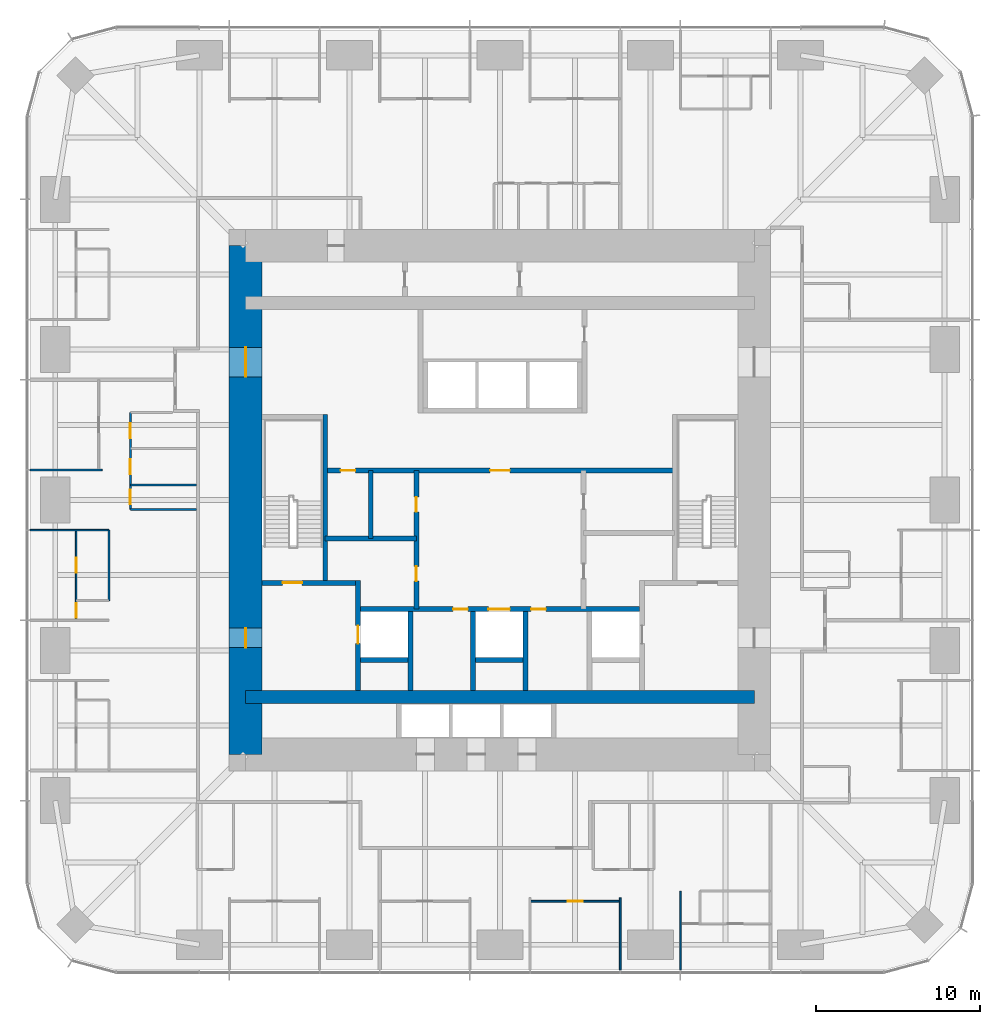
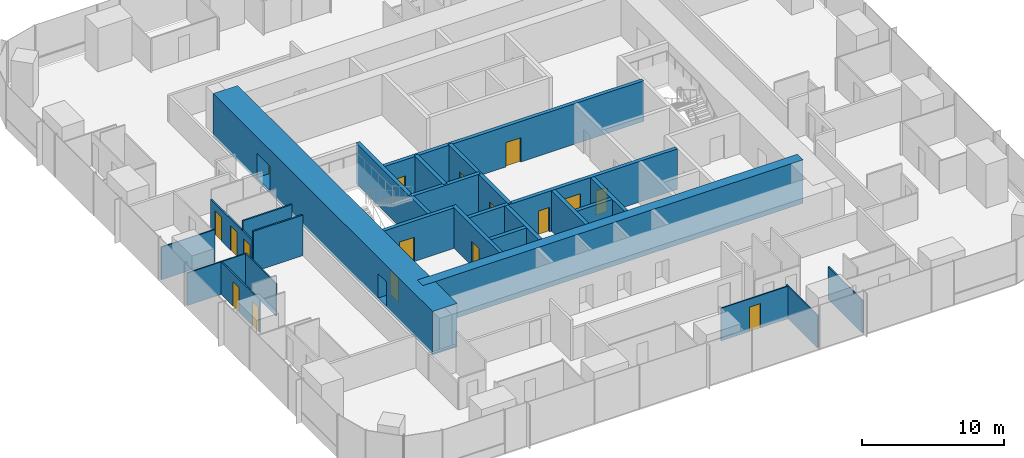
# One storey, part 9 of 13: 25 walls, 17 doors, 17 openings.
"""IFC4 building model written with IfcOpenShell, lengths in metres."""

from ifc_helpers import new_model, si_unit, direction, frame, frame_2d, origin, place, context, subcontext, project, spatial, rectangle, extrude, material, layer, layer_set, type_object, element, fill, save


model = new_model("IFC4")

# Units and contexts
model_context = context("Model", 3, precision=1e-05, world=origin(), true_north=direction((0.0, 1.0)))
body_context = subcontext(model_context, "Body", "Model", "MODEL_VIEW")
ifc_project = project(units=[si_unit("LENGTHUNIT", "METRE"), si_unit("AREAUNIT", "SQUARE_METRE"), si_unit("VOLUMEUNIT", "CUBIC_METRE"), si_unit("PLANEANGLEUNIT", "RADIAN"), si_unit("MASSUNIT", "GRAM", prefix="KILO")], contexts=[model_context])

# Site, building, storey
site_placement = place(None, origin())
site = spatial("IfcSite", under=ifc_project, at=site_placement, CompositionType="ELEMENT")
building_placement = place(site_placement, origin())
building = spatial("IfcBuilding", under=site, at=building_placement, Name="Khuree Lantern Residences", CompositionType="ELEMENT")
storey_placement = place(building_placement, frame((0.0, 0.0, 148.5)))
storey = spatial("IfcBuildingStorey", under=building, at=storey_placement, Name="L37", CompositionType="ELEMENT", Elevation=148.5)

# Wall, openings, doors
ifc_material_1 = material(Name="Moisture-resistant gypsum board on steel studs", Category="steel")
ifc_layer_1 = layer(ifc_material_1, 0.125)
ifc_layer_set_1 = layer_set([ifc_layer_1], Name="BATHROOM WALL BTW125")
wall_type_1 = type_object("IfcWallType", Name="BATHROOM WALL BTW125", PredefinedType="PARTITIONING", material=ifc_layer_set_1)
wall_1_placement = place(storey_placement, frame((-22.52978515625, 5.327880859375, 0.0), z_axis=(0.0, 0.0, 1.0), x_axis=(0.0, -1.0, 0.0)))
wall_1 = element("IfcWall", 1, at=wall_1_placement, inside=storey, type_object=wall_type_1, Name="L37 BATHROOM WALL 04", PredefinedType="PARTITIONING", context=body_context, shape_type="SweptSolid", body=[
    extrude(rectangle(XDim=5.89990234375, YDim=0.125, at=frame_2d((2.949951171875, 0.0))), origin(), (0.0, 0.0, 1.0), 2.699951171875),
])
opening_1_placement = place(wall_1_placement, frame((0.64990234375, 0.0, 0.0)))
opening_1 = element("IfcOpeningElement", 2, at=opening_1_placement, cuts=wall_1, Name="Opening 37-047", PredefinedType="OPENING", context=body_context, shape_type="SweptSolid", body=[
    extrude(rectangle(XDim=0.89990234375, YDim=2.10009765625, at=frame_2d((0.449951171875, 1.050048828125))), frame((0.0, 0.072509765625, 0.0), z_axis=(0.0, -1.0, 0.0), x_axis=(1.0, 0.0, 0.0)), (0.0, 0.0, 1.0), 0.14501953125),
])
opening_2_placement = place(wall_1_placement, frame((2.85009765625, 0.0, 0.0)))
opening_2 = element("IfcOpeningElement", 3, at=opening_2_placement, cuts=wall_1, Name="Opening 37-048", PredefinedType="OPENING", context=body_context, shape_type="SweptSolid", body=[
    extrude(rectangle(XDim=0.89990234375, YDim=2.10009765625, at=frame_2d((0.449951171875, 1.050048828125))), frame((0.0, 0.072509765625, 0.0), z_axis=(0.0, -1.0, 0.0), x_axis=(1.0, 0.0, 0.0)), (0.0, 0.0, 1.0), 0.14501953125),
])
opening_3_placement = place(wall_1_placement, frame((4.699951171875, 0.0, 0.0)))
opening_3 = element("IfcOpeningElement", 4, at=opening_3_placement, cuts=wall_1, Name="Opening 37-049", PredefinedType="OPENING", context=body_context, shape_type="SweptSolid", body=[
    extrude(rectangle(XDim=0.89990234375, YDim=2.10009765625, at=frame_2d((0.449951171875, 1.050048828125))), frame((0.0, 0.072509765625, 0.0), z_axis=(0.0, -1.0, 0.0), x_axis=(1.0, 0.0, 0.0)), (0.0, 0.0, 1.0), 0.14501953125),
])
ifc_material_2 = material(Name="Timber door leaf in hardwood frame", Category="wood")
door_type_1 = type_object("IfcDoorType", Name="BATHROOM DOOR 900X2100", OperationType="SINGLE_SWING_LEFT", PredefinedType="DOOR", material=ifc_material_2)
door_1_placement = place(opening_1_placement, origin())
door_1 = element("IfcDoor", 5, at=door_1_placement, inside=storey, type_object=door_type_1, Name="Bathroom door 37-047", OperationType="SINGLE_SWING_LEFT", OverallHeight=2.10009765625, OverallWidth=0.89990234375, PredefinedType="DOOR", context=body_context, shape_type="SweptSolid", body=[
    extrude(rectangle(XDim=0.89990234375, YDim=2.10009765625, at=frame_2d((0.449951171875, 1.050048828125))), frame((0.0, 0.02490234375, 0.0), z_axis=(0.0, -1.0, 0.0), x_axis=(1.0, 0.0, 0.0)), (0.0, 0.0, 1.0), 0.050048828125),
])
fill(opening_1, door_1)
door_2_placement = place(opening_2_placement, origin())
door_2 = element("IfcDoor", 6, at=door_2_placement, inside=storey, type_object=door_type_1, Name="Bathroom door 37-048", OperationType="SINGLE_SWING_LEFT", OverallHeight=2.10009765625, OverallWidth=0.89990234375, PredefinedType="DOOR", context=body_context, shape_type="SweptSolid", body=[
    extrude(rectangle(XDim=0.89990234375, YDim=2.10009765625, at=frame_2d((0.449951171875, 1.050048828125))), frame((0.0, 0.02490234375, 0.0), z_axis=(0.0, -1.0, 0.0), x_axis=(1.0, 0.0, 0.0)), (0.0, 0.0, 1.0), 0.050048828125),
])
fill(opening_2, door_2)
door_type_2 = type_object("IfcDoorType", Name="WC DOOR 900X2100", OperationType="SINGLE_SWING_LEFT", PredefinedType="DOOR", material=ifc_material_2)
door_3_placement = place(opening_3_placement, origin())
door_3 = element("IfcDoor", 7, at=door_3_placement, inside=storey, type_object=door_type_2, Name="WC door 37-049", OperationType="SINGLE_SWING_LEFT", OverallHeight=2.10009765625, OverallWidth=0.89990234375, PredefinedType="DOOR", context=body_context, shape_type="SweptSolid", body=[
    extrude(rectangle(XDim=0.89990234375, YDim=2.10009765625, at=frame_2d((0.449951171875, 1.050048828125))), frame((0.0, 0.02490234375, 0.0), z_axis=(0.0, -1.0, 0.0), x_axis=(1.0, 0.0, 0.0)), (0.0, 0.0, 1.0), 0.050048828125),
])
fill(opening_3, door_3)

# Walls
for number, where, z_axis, x_axis, name in (
    (8, (-18.5, 0.927978515625, 0.0), (0.0, 0.0, 1.0), (-1.0, 0.0, 0.0), "L37 BATHROOM WALL 04"),
    (9, (-18.5, -0.572021484375, 0.0), (0.0, 0.0, 1.0), (-1.0, 0.0, 0.0), "L37 BATHROOM WALL 04"),
):
    element("IfcWall", number, at=place(storey_placement, frame(where, z_axis=z_axis, x_axis=x_axis)), inside=storey, type_object=wall_type_1, Name=name, PredefinedType="PARTITIONING", context=body_context, shape_type="SweptSolid", body=[
        extrude(rectangle(XDim=4.02978515625, YDim=0.125, at=frame_2d((2.014892578125, 0.0))), origin(), (0.0, 0.0, 1.0), 3.5),
    ])

# Wall, opening, door
ifc_material_3 = material(Name="Dense concrete blockwork", Category="masonry")
ifc_layer_2 = layer(ifc_material_3, 0.300048828125)
ifc_layer_set_2 = layer_set([ifc_layer_2], Name="CORE PARTITION WALL CPW300 EI 120")
wall_type_2 = type_object("IfcWallType", Name="CORE PARTITION WALL CPW300 EI 120", PredefinedType="PARTITIONING", material=ifc_layer_set_2)
wall_2_placement = place(storey_placement, frame((-8.64990234375, -11.60009765625, 0.0), z_axis=(0.0, 0.0, 1.0), x_axis=(0.0, 1.0, 0.0)))
wall_2 = element("IfcWall", 10, at=wall_2_placement, inside=storey, type_object=wall_type_2, Name="L37 CORE WALL FL1W", PredefinedType="PARTITIONING", context=body_context, shape_type="SweptSolid", body=[
    extrude(rectangle(XDim=6.7001953125, YDim=0.300048828125, at=frame_2d((3.35009765625, 0.0))), origin(), (0.0, 0.0, 1.0), 3.5),
])
opening_4_placement = place(wall_2_placement, frame((2.85009765625, 0.0, 0.0)))
opening_4 = element("IfcOpeningElement", 11, at=opening_4_placement, cuts=wall_2, Name="Opening 37-007", PredefinedType="OPENING", context=body_context, shape_type="SweptSolid", body=[
    extrude(rectangle(XDim=1.10009765625, YDim=2.10009765625, at=frame_2d((0.550048828125, 1.050048828125))), frame((0.0, 0.16015625, 0.0), z_axis=(0.0, -1.0, 0.0), x_axis=(1.0, 0.0, 0.0)), (0.0, 0.0, 1.0), 0.320068359375),
])
ifc_material_4 = material(Name="Stainless steel lift landing door", Category="steel")
door_type_3 = type_object("IfcDoorType", Name="LIFT LANDING DOOR 1100X2100 E 120", OperationType="DOUBLE_DOOR_SLIDING", PredefinedType="DOOR", material=ifc_material_4)
door_4_placement = place(opening_4_placement, origin())
door_4 = element("IfcDoor", 12, at=door_4_placement, inside=storey, type_object=door_type_3, Name="Landing door FL1 37-007", OperationType="DOUBLE_DOOR_SLIDING", OverallHeight=2.10009765625, OverallWidth=1.10009765625, PredefinedType="DOOR", context=body_context, shape_type="SweptSolid", body=[
    extrude(rectangle(XDim=1.10009765625, YDim=2.10009765625, at=frame_2d((0.550048828125, 1.050048828125))), frame((0.0, 0.02490234375, 0.0), z_axis=(0.0, -1.0, 0.0), x_axis=(1.0, 0.0, 0.0)), (0.0, 0.0, 1.0), 0.050048828125),
])
fill(opening_4, door_4)

# Wall, openings, doors
wall_3_placement = place(storey_placement, frame((-8.5, -6.64990234375, 0.0), z_axis=(0.0, 0.0, 1.0), x_axis=(1.0, 0.0, 0.0)))
wall_3 = element("IfcWall", 13, at=wall_3_placement, inside=storey, type_object=wall_type_2, Name="L37 CORE WALL FLROW", PredefinedType="PARTITIONING", context=body_context, shape_type="SweptSolid", body=[
    extrude(rectangle(XDim=17.0, YDim=0.300048828125, at=frame_2d((8.5, 0.0))), origin(), (0.0, 0.0, 1.0), 3.5),
])
opening_5_placement = place(wall_3_placement, frame((7.800048828125, 0.0, 0.0)))
opening_5 = element("IfcOpeningElement", 14, at=opening_5_placement, cuts=wall_3, Name="Opening 37-012", PredefinedType="OPENING", context=body_context, shape_type="SweptSolid", body=[
    extrude(rectangle(XDim=1.300048828125, YDim=2.39990234375, at=frame_2d((0.64990234375, 1.199951171875))), frame((0.0, 0.16015625, 0.0), z_axis=(0.0, -1.0, 0.0), x_axis=(1.0, 0.0, 0.0)), (0.0, 0.0, 1.0), 0.320068359375),
])
opening_6_placement = place(wall_3_placement, frame((5.64990234375, 0.0, 0.0)))
opening_6 = element("IfcOpeningElement", 15, at=opening_6_placement, cuts=wall_3, Name="Opening 37-014", PredefinedType="OPENING", context=body_context, shape_type="SweptSolid", body=[
    extrude(rectangle(XDim=0.89990234375, YDim=2.10009765625, at=frame_2d((0.449951171875, 1.050048828125))), frame((0.0, 0.16015625, 0.0), z_axis=(0.0, -1.0, 0.0), x_axis=(1.0, 0.0, 0.0)), (0.0, 0.0, 1.0), 0.320068359375),
])
opening_7_placement = place(wall_3_placement, frame((10.39990234375, 0.0, 0.0)))
opening_7 = element("IfcOpeningElement", 16, at=opening_7_placement, cuts=wall_3, Name="Opening 37-015", PredefinedType="OPENING", context=body_context, shape_type="SweptSolid", body=[
    extrude(rectangle(XDim=0.89990234375, YDim=2.10009765625, at=frame_2d((0.449951171875, 1.050048828125))), frame((0.0, 0.16015625, 0.0), z_axis=(0.0, -1.0, 0.0), x_axis=(1.0, 0.0, 0.0)), (0.0, 0.0, 1.0), 0.320068359375),
])
ifc_material_5 = material(Name="Steel door leaf in steel frame", Category="steel")
door_type_4 = type_object("IfcDoorType", Name="DOOR 900X2100 EI 60", OperationType="SINGLE_SWING_LEFT", PredefinedType="DOOR", material=ifc_material_5)
door_5_placement = place(opening_6_placement, origin())
door_5 = element("IfcDoor", 17, at=door_5_placement, inside=storey, type_object=door_type_4, Name="Refuse chute room door 37-014", OperationType="SINGLE_SWING_LEFT", OverallHeight=2.10009765625, OverallWidth=0.89990234375, PredefinedType="DOOR", context=body_context, shape_type="SweptSolid", body=[
    extrude(rectangle(XDim=0.89990234375, YDim=2.10009765625, at=frame_2d((0.449951171875, 1.050048828125))), frame((0.0, 0.02490234375, 0.0), z_axis=(0.0, -1.0, 0.0), x_axis=(1.0, 0.0, 0.0)), (0.0, 0.0, 1.0), 0.050048828125),
])
fill(opening_6, door_5)
door_type_5 = type_object("IfcDoorType", Name="DOOR 900X2100 EI 60 RIGHT HAND", OperationType="SINGLE_SWING_RIGHT", PredefinedType="DOOR", material=ifc_material_5)
door_6_placement = place(opening_7_placement, origin())
door_6 = element("IfcDoor", 18, at=door_6_placement, inside=storey, type_object=door_type_5, Name="Electrical and plumbing riser door 37-015", OperationType="SINGLE_SWING_RIGHT", OverallHeight=2.10009765625, OverallWidth=0.89990234375, PredefinedType="DOOR", context=body_context, shape_type="SweptSolid", body=[
    extrude(rectangle(XDim=0.89990234375, YDim=2.10009765625, at=frame_2d((0.449951171875, 1.050048828125))), frame((0.0, 0.02490234375, 0.0), z_axis=(0.0, -1.0, 0.0), x_axis=(1.0, 0.0, 0.0)), (0.0, 0.0, 1.0), 0.050048828125),
])
fill(opening_7, door_6)
door_type_6 = type_object("IfcDoorType", Name="LIFT LANDING DOOR 1300X2400 E 60", OperationType="DOUBLE_DOOR_SLIDING", PredefinedType="DOOR", material=ifc_material_4)
door_7_placement = place(opening_5_placement, origin())
door_7 = element("IfcDoor", 19, at=door_7_placement, inside=storey, type_object=door_type_6, Name="Landing door SL1 37-012", OperationType="DOUBLE_DOOR_SLIDING", OverallHeight=2.39990234375, OverallWidth=1.300048828125, PredefinedType="DOOR", context=body_context, shape_type="SweptSolid", body=[
    extrude(rectangle(XDim=1.300048828125, YDim=2.39990234375, at=frame_2d((0.64990234375, 1.199951171875))), frame((0.0, 0.02490234375, 0.0), z_axis=(0.0, -1.0, 0.0), x_axis=(1.0, 0.0, 0.0)), (0.0, 0.0, 1.0), 0.050048828125),
])
fill(opening_5, door_7)

# Walls
for number, where, z_axis, x_axis, name in (
    (20, (-5.449951171875, -11.60009765625, 0.0), (0.0, 0.0, 1.0), (0.0, 1.0, 0.0), "L37 CORE WALL FL1E"),
    (21, (-1.64990234375, -11.60009765625, 0.0), (0.0, 0.0, 1.0), (0.0, 1.0, 0.0), "L37 CORE WALL SL1W"),
    (22, (1.550048828125, -11.60009765625, 0.0), (0.0, 0.0, 1.0), (0.0, 1.0, 0.0), "L37 CORE WALL SL1E"),
):
    element("IfcWall", number, at=place(storey_placement, frame(where, z_axis=z_axis, x_axis=x_axis)), inside=storey, type_object=wall_type_2, Name=name, PredefinedType="PARTITIONING", context=body_context, shape_type="SweptSolid", body=[
        extrude(rectangle(XDim=4.800048828125, YDim=0.300048828125, at=frame_2d((2.39990234375, 0.0))), origin(), (0.0, 0.0, 1.0), 3.5),
    ])
for number, where, z_axis, x_axis, name in (
    (23, (-8.5, -9.75, 0.0), (0.0, 0.0, 1.0), (1.0, 0.0, 0.0), "L37 CORE WALL FL1S"),
    (24, (-1.5, -9.75, 0.0), (0.0, 0.0, 1.0), (1.0, 0.0, 0.0), "L37 CORE WALL SL1S"),
):
    element("IfcWall", number, at=place(storey_placement, frame(where, z_axis=z_axis, x_axis=x_axis)), inside=storey, type_object=wall_type_2, Name=name, PredefinedType="PARTITIONING", context=body_context, shape_type="SweptSolid", body=[
        extrude(rectangle(XDim=2.89990234375, YDim=0.300048828125, at=frame_2d((1.449951171875, 0.0))), origin(), (0.0, 0.0, 1.0), 3.5),
    ])

# Wall, openings, doors
wall_4_placement = place(storey_placement, frame((-10.64990234375, 1.800048828125, 0.0), z_axis=(0.0, 0.0, 1.0), x_axis=(1.0, 0.0, 0.0)))
wall_4 = element("IfcWall", 25, at=wall_4_placement, inside=storey, type_object=wall_type_2, Name="L37 CORE WALL LLS", PredefinedType="PARTITIONING", context=body_context, shape_type="SweptSolid", body=[
    extrude(rectangle(XDim=21.2998046875, YDim=0.300048828125, at=frame_2d((10.64990234375, 0.0))), origin(), (0.0, 0.0, 1.0), 3.5),
])
opening_8_placement = place(wall_4_placement, frame((10.050048828125, 0.0, 0.0)))
opening_8 = element("IfcOpeningElement", 26, at=opening_8_placement, cuts=wall_4, Name="Opening 37-013", PredefinedType="OPENING", context=body_context, shape_type="SweptSolid", body=[
    extrude(rectangle(XDim=1.199951171875, YDim=2.10009765625, at=frame_2d((0.60009765625, 1.050048828125))), frame((0.0, 0.16015625, 0.0), z_axis=(0.0, -1.0, 0.0), x_axis=(1.0, 0.0, 0.0)), (0.0, 0.0, 1.0), 0.320068359375),
])
opening_9_placement = place(wall_4_placement, frame((0.93798828125, 0.0, 0.0)))
opening_9 = element("IfcOpeningElement", 27, at=opening_9_placement, cuts=wall_4, Name="Opening 37-018", PredefinedType="OPENING", context=body_context, shape_type="SweptSolid", body=[
    extrude(rectangle(XDim=0.89990234375, YDim=2.10009765625, at=frame_2d((0.449951171875, 1.050048828125))), frame((0.0, 0.16015625, 0.0), z_axis=(0.0, -1.0, 0.0), x_axis=(1.0, 0.0, 0.0)), (0.0, 0.0, 1.0), 0.320068359375),
])
door_type_7 = type_object("IfcDoorType", Name="DOOR 1200X2100 EI 60", OperationType="SINGLE_SWING_LEFT", PredefinedType="DOOR", material=ifc_material_5)
door_8_placement = place(opening_8_placement, origin())
door_8 = element("IfcDoor", 28, at=door_8_placement, inside=storey, type_object=door_type_7, Name="Service lift lobby door 37-013", OperationType="SINGLE_SWING_LEFT", OverallHeight=2.10009765625, OverallWidth=1.199951171875, PredefinedType="DOOR", context=body_context, shape_type="SweptSolid", body=[
    extrude(rectangle(XDim=1.199951171875, YDim=2.10009765625, at=frame_2d((0.60009765625, 1.050048828125))), frame((0.0, 0.02490234375, 0.0), z_axis=(0.0, -1.0, 0.0), x_axis=(1.0, 0.0, 0.0)), (0.0, 0.0, 1.0), 0.050048828125),
])
fill(opening_8, door_8)
door_type_8 = type_object("IfcDoorType", Name="DOOR 900X2100", OperationType="SINGLE_SWING_LEFT", PredefinedType="DOOR", material=ifc_material_2)
door_9_placement = place(opening_9_placement, origin())
door_9 = element("IfcDoor", 29, at=door_9_placement, inside=storey, type_object=door_type_8, Name="Housekeeping store door 37-018", OperationType="SINGLE_SWING_LEFT", OverallHeight=2.10009765625, OverallWidth=0.89990234375, PredefinedType="DOOR", context=body_context, shape_type="SweptSolid", body=[
    extrude(rectangle(XDim=0.89990234375, YDim=2.10009765625, at=frame_2d((0.449951171875, 1.050048828125))), frame((0.0, 0.02490234375, 0.0), z_axis=(0.0, -1.0, 0.0), x_axis=(1.0, 0.0, 0.0)), (0.0, 0.0, 1.0), 0.050048828125),
])
fill(opening_9, door_9)

wall_5_placement = place(storey_placement, frame((-5.10009765625, -6.64990234375, 0.0), z_axis=(0.0, 0.0, 1.0), x_axis=(0.0, 1.0, 0.0)))
wall_5 = element("IfcWall", 30, at=wall_5_placement, inside=storey, type_object=wall_type_2, Name="L37 CORE WALL SVW", PredefinedType="PARTITIONING", context=body_context, shape_type="SweptSolid", body=[
    extrude(rectangle(XDim=8.449951171875, YDim=0.300048828125, at=frame_2d((4.22509765625, 0.0))), origin(), (0.0, 0.0, 1.0), 3.5),
])
opening_10_placement = place(wall_5_placement, frame((1.699951171875, 0.0, 0.0)))
opening_10 = element("IfcOpeningElement", 31, at=opening_10_placement, cuts=wall_5, Name="Opening 37-016", PredefinedType="OPENING", context=body_context, shape_type="SweptSolid", body=[
    extrude(rectangle(XDim=0.89990234375, YDim=2.10009765625, at=frame_2d((0.449951171875, 1.050048828125))), frame((0.0, 0.16015625, 0.0), z_axis=(0.0, -1.0, 0.0), x_axis=(1.0, 0.0, 0.0)), (0.0, 0.0, 1.0), 0.320068359375),
])
opening_11_placement = place(wall_5_placement, frame((5.925048828125, 0.0, 0.0)))
opening_11 = element("IfcOpeningElement", 32, at=opening_11_placement, cuts=wall_5, Name="Opening 37-017", PredefinedType="OPENING", context=body_context, shape_type="SweptSolid", body=[
    extrude(rectangle(XDim=0.89990234375, YDim=2.10009765625, at=frame_2d((0.449951171875, 1.050048828125))), frame((0.0, 0.16015625, 0.0), z_axis=(0.0, -1.0, 0.0), x_axis=(1.0, 0.0, 0.0)), (0.0, 0.0, 1.0), 0.320068359375),
])
door_10_placement = place(opening_10_placement, origin())
door_10 = element("IfcDoor", 33, at=door_10_placement, inside=storey, type_object=door_type_8, Name="Bulky waste store door 37-016", OperationType="SINGLE_SWING_LEFT", OverallHeight=2.10009765625, OverallWidth=0.89990234375, PredefinedType="DOOR", context=body_context, shape_type="SweptSolid", body=[
    extrude(rectangle(XDim=0.89990234375, YDim=2.10009765625, at=frame_2d((0.449951171875, 1.050048828125))), frame((0.0, 0.02490234375, 0.0), z_axis=(0.0, -1.0, 0.0), x_axis=(1.0, 0.0, 0.0)), (0.0, 0.0, 1.0), 0.050048828125),
])
fill(opening_10, door_10)
door_11_placement = place(opening_11_placement, origin())
door_11 = element("IfcDoor", 34, at=door_11_placement, inside=storey, type_object=door_type_8, Name="Comms room door 37-017", OperationType="SINGLE_SWING_LEFT", OverallHeight=2.10009765625, OverallWidth=0.89990234375, PredefinedType="DOOR", context=body_context, shape_type="SweptSolid", body=[
    extrude(rectangle(XDim=0.89990234375, YDim=2.10009765625, at=frame_2d((0.449951171875, 1.050048828125))), frame((0.0, 0.02490234375, 0.0), z_axis=(0.0, -1.0, 0.0), x_axis=(1.0, 0.0, 0.0)), (0.0, 0.0, 1.0), 0.050048828125),
])
fill(opening_11, door_11)

# Walls
wall_6_placement = place(storey_placement, frame((-10.64990234375, -2.35009765625, 0.0), z_axis=(0.0, 0.0, 1.0), x_axis=(1.0, 0.0, 0.0)))
element("IfcWall", 35, at=wall_6_placement, inside=storey, type_object=wall_type_2, Name="L37 CORE WALL WX", PredefinedType="PARTITIONING", context=body_context, shape_type="SweptSolid", body=[
    extrude(rectangle(XDim=5.5498046875, YDim=0.300048828125, at=frame_2d((2.77490234375, 0.0))), origin(), (0.0, 0.0, 1.0), 3.5),
])
wall_7_placement = place(storey_placement, frame((-7.875, -2.35009765625, 0.0), z_axis=(0.0, 0.0, 1.0), x_axis=(0.0, 1.0, 0.0)))
element("IfcWall", 36, at=wall_7_placement, inside=storey, type_object=wall_type_2, Name="L37 CORE WALL WV", PredefinedType="PARTITIONING", context=body_context, shape_type="SweptSolid", body=[
    extrude(rectangle(XDim=4.150146484375, YDim=0.300048828125, at=frame_2d((2.0751953125, 0.0))), origin(), (0.0, 0.0, 1.0), 3.5),
])

# Wall, openings, doors
ifc_material_6 = material(Name="Concrete C70/85", Category="concrete")
ifc_layer_3 = layer(ifc_material_6, 2.0)
ifc_layer_set_3 = layer_set([ifc_layer_3], Name="CW2000-C70 CORE WALL C70 2000")
wall_type_3 = type_object("IfcWallType", Name="CW2000-C70 CORE WALL C70 2000", PredefinedType="SHEAR", material=ifc_layer_set_3)
wall_8_placement = place(storey_placement, frame((-15.5, -15.5, -0.25), z_axis=(0.0, 0.0, 1.0), x_axis=(0.0, 1.0, 0.0)))
wall_8 = element("IfcWall", 37, at=wall_8_placement, inside=storey, type_object=wall_type_3, Name="Core wall W", PredefinedType="SHEAR", context=body_context, shape_type="SweptSolid", body=[
    extrude(rectangle(XDim=31.0, YDim=2.0, at=frame_2d((15.5, 0.0))), origin(), (0.0, 0.0, 1.0), 3.75),
])
opening_12_placement = place(wall_8_placement, frame((6.5, 0.0, 0.25)))
opening_12 = element("IfcOpeningElement", 38, at=opening_12_placement, cuts=wall_8, Name="Opening 37-002", PredefinedType="OPENING", context=body_context, shape_type="SweptSolid", body=[
    extrude(rectangle(XDim=1.199951171875, YDim=2.10009765625, at=frame_2d((0.60009765625, 1.050048828125))), frame((0.0, 1.010009765625, 0.0), z_axis=(0.0, -1.0, 0.0), x_axis=(1.0, 0.0, 0.0)), (0.0, 0.0, 1.0), 2.02001953125),
])
opening_13_placement = place(wall_8_placement, frame((23.0, 0.0, 0.25)))
opening_13 = element("IfcOpeningElement", 39, at=opening_13_placement, cuts=wall_8, Name="Opening 37-003", PredefinedType="OPENING", context=body_context, shape_type="SweptSolid", body=[
    extrude(rectangle(XDim=1.800048828125, YDim=2.10009765625, at=frame_2d((0.89990234375, 1.050048828125))), frame((0.0, 1.010009765625, 0.0), z_axis=(0.0, -1.0, 0.0), x_axis=(1.0, 0.0, 0.0)), (0.0, 0.0, 1.0), 2.02001953125),
])
door_type_9 = type_object("IfcDoorType", Name="LOBBY DOOR 1200X2100 EI 120", OperationType="SINGLE_SWING_LEFT", PredefinedType="DOOR", material=ifc_material_5)
door_12_placement = place(opening_12_placement, origin())
door_12 = element("IfcDoor", 40, at=door_12_placement, inside=storey, type_object=door_type_9, Name="Firefighting lobby door 37-002", OperationType="SINGLE_SWING_LEFT", OverallHeight=2.10009765625, OverallWidth=1.199951171875, PredefinedType="DOOR", context=body_context, shape_type="SweptSolid", body=[
    extrude(rectangle(XDim=1.199951171875, YDim=2.10009765625, at=frame_2d((0.60009765625, 1.050048828125))), frame((0.0, 0.02490234375, 0.0), z_axis=(0.0, -1.0, 0.0), x_axis=(1.0, 0.0, 0.0)), (0.0, 0.0, 1.0), 0.050048828125),
])
fill(opening_12, door_12)
door_type_10 = type_object("IfcDoorType", Name="LOBBY DOUBLE DOOR 1800X2100 EI 60", OperationType="DOUBLE_DOOR_SINGLE_SWING", PredefinedType="DOOR", material=ifc_material_5)
door_13_placement = place(opening_13_placement, origin())
door_13 = element("IfcDoor", 41, at=door_13_placement, inside=storey, type_object=door_type_10, Name="Lift lobby door 37-003", OperationType="DOUBLE_DOOR_SINGLE_SWING", OverallHeight=2.10009765625, OverallWidth=1.800048828125, PredefinedType="DOOR", context=body_context, shape_type="SweptSolid", body=[
    extrude(rectangle(XDim=1.800048828125, YDim=2.10009765625, at=frame_2d((0.89990234375, 1.050048828125))), frame((0.0, 0.02490234375, 0.0), z_axis=(0.0, -1.0, 0.0), x_axis=(1.0, 0.0, 0.0)), (0.0, 0.0, 1.0), 0.050048828125),
])
fill(opening_13, door_13)

# Walls
ifc_material_7 = material(Name="Gypsum board on steel studs", Category="steel")
ifc_layer_4 = layer(ifc_material_7, 0.10009765625)
ifc_layer_set_4 = layer_set([ifc_layer_4], Name="PARTITION PT100")
wall_type_4 = type_object("IfcWallType", Name="PARTITION PT100", PredefinedType="PARTITIONING", material=ifc_layer_set_4)
wall_9_placement = place(storey_placement, frame((-24.25, 1.83203125, 0.0), z_axis=(0.0, 0.0, 1.0), x_axis=(-1.0, 0.0, 0.0)))
element("IfcWall", 42, at=wall_9_placement, inside=storey, type_object=wall_type_4, Name="L37 PARTITION 04", PredefinedType="PARTITIONING", context=body_context, shape_type="SweptSolid", body=[
    extrude(rectangle(XDim=4.39990234375, YDim=0.10009765625, at=frame_2d((2.199951171875, 0.0))), origin(), (0.0, 0.0, 1.0), 2.81005859375),
])
wall_10_placement = place(storey_placement, frame((-23.829833984375, -1.83203125, 0.0), z_axis=(0.0, 0.0, 1.0), x_axis=(-1.0, 0.0, 0.0)))
element("IfcWall", 43, at=wall_10_placement, inside=storey, type_object=wall_type_4, Name="L37 PARTITION 04", PredefinedType="PARTITIONING", context=body_context, shape_type="SweptSolid", body=[
    extrude(rectangle(XDim=4.820068359375, YDim=0.10009765625, at=frame_2d((2.41015625, 0.0))), origin(), (0.0, 0.0, 1.0), 2.81005859375),
])
wall_11_placement = place(storey_placement, frame((7.327880859375, -24.25, 0.0), z_axis=(0.0, 0.0, 1.0), x_axis=(0.0, -1.0, 0.0)))
element("IfcWall", 44, at=wall_11_placement, inside=storey, type_object=wall_type_4, Name="L37 PARTITION 06", PredefinedType="PARTITIONING", context=body_context, shape_type="SweptSolid", body=[
    extrude(rectangle(XDim=4.39990234375, YDim=0.10009765625, at=frame_2d((2.199951171875, 0.0))), origin(), (0.0, 0.0, 1.0), 2.81005859375),
])
wall_12_placement = place(storey_placement, frame((10.991943359375, -23.829833984375, 0.0), z_axis=(0.0, 0.0, 1.0), x_axis=(0.0, -1.0, 0.0)))
element("IfcWall", 45, at=wall_12_placement, inside=storey, type_object=wall_type_4, Name="L37 PARTITION 06", PredefinedType="PARTITIONING", context=body_context, shape_type="SweptSolid", body=[
    extrude(rectangle(XDim=4.820068359375, YDim=0.10009765625, at=frame_2d((2.41015625, 0.0))), origin(), (0.0, 0.0, 1.0), 2.81005859375),
])

# Wall, openings, doors
wall_13_placement = place(storey_placement, frame((-25.829833984375, -1.83203125, 0.0), z_axis=(0.0, 0.0, 1.0), x_axis=(0.0, -1.0, 0.0)))
wall_13 = element("IfcWall", 46, at=wall_13_placement, inside=storey, type_object=wall_type_4, Name="L37 PARTITION 04", PredefinedType="PARTITIONING", context=body_context, shape_type="SweptSolid", body=[
    extrude(rectangle(XDim=5.495849609375, YDim=0.10009765625, at=frame_2d((2.748046875, 0.0))), origin(), (0.0, 0.0, 1.0), 2.81005859375),
])
opening_14_placement = place(wall_13_placement, frame((4.446044921875, 0.0, 0.0)))
opening_14 = element("IfcOpeningElement", 47, at=opening_14_placement, cuts=wall_13, Name="Opening 37-043", PredefinedType="OPENING", context=body_context, shape_type="SweptSolid", body=[
    extrude(rectangle(XDim=0.89990234375, YDim=2.10009765625, at=frame_2d((0.449951171875, 1.050048828125))), frame((0.0, 0.06005859375, 0.0), z_axis=(0.0, -1.0, 0.0), x_axis=(1.0, 0.0, 0.0)), (0.0, 0.0, 1.0), 0.1201171875),
])
opening_15_placement = place(wall_13_placement, frame((1.697998046875, 0.0, 0.0)))
opening_15 = element("IfcOpeningElement", 48, at=opening_15_placement, cuts=wall_13, Name="Opening 37-044", PredefinedType="OPENING", context=body_context, shape_type="SweptSolid", body=[
    extrude(rectangle(XDim=0.89990234375, YDim=2.10009765625, at=frame_2d((0.449951171875, 1.050048828125))), frame((0.0, 0.06005859375, 0.0), z_axis=(0.0, -1.0, 0.0), x_axis=(1.0, 0.0, 0.0)), (0.0, 0.0, 1.0), 0.1201171875),
])
door_type_11 = type_object("IfcDoorType", Name="BEDROOM DOOR 900X2100", OperationType="SINGLE_SWING_LEFT", PredefinedType="DOOR", material=ifc_material_2)
door_14_placement = place(opening_14_placement, origin())
door_14 = element("IfcDoor", 49, at=door_14_placement, inside=storey, type_object=door_type_11, Name="Bedroom door 37-043", OperationType="SINGLE_SWING_LEFT", OverallHeight=2.10009765625, OverallWidth=0.89990234375, PredefinedType="DOOR", context=body_context, shape_type="SweptSolid", body=[
    extrude(rectangle(XDim=0.89990234375, YDim=2.10009765625, at=frame_2d((0.449951171875, 1.050048828125))), frame((0.0, 0.02490234375, 0.0), z_axis=(0.0, -1.0, 0.0), x_axis=(1.0, 0.0, 0.0)), (0.0, 0.0, 1.0), 0.050048828125),
])
fill(opening_14, door_14)
door_15_placement = place(opening_15_placement, origin())
door_15 = element("IfcDoor", 50, at=door_15_placement, inside=storey, type_object=door_type_8, Name="Wardrobe door 37-044", OperationType="SINGLE_SWING_LEFT", OverallHeight=2.10009765625, OverallWidth=0.89990234375, PredefinedType="DOOR", context=body_context, shape_type="SweptSolid", body=[
    extrude(rectangle(XDim=0.89990234375, YDim=2.10009765625, at=frame_2d((0.449951171875, 1.050048828125))), frame((0.0, 0.02490234375, 0.0), z_axis=(0.0, -1.0, 0.0), x_axis=(1.0, 0.0, 0.0)), (0.0, 0.0, 1.0), 0.050048828125),
])
fill(opening_15, door_15)

# Wall
wall_14_placement = place(storey_placement, frame((-23.829833984375, -1.83203125, 0.0), z_axis=(0.0, 0.0, 1.0), x_axis=(0.0, -1.0, 0.0)))
element("IfcWall", 51, at=wall_14_placement, inside=storey, type_object=wall_type_4, Name="L37 PARTITION 04", PredefinedType="PARTITIONING", context=body_context, shape_type="SweptSolid", body=[
    extrude(rectangle(XDim=4.2958984375, YDim=0.10009765625, at=frame_2d((2.14794921875, 0.0))), origin(), (0.0, 0.0, 1.0), 2.81005859375),
])

# Wall, opening, door
wall_15_placement = place(storey_placement, frame((1.83203125, -24.449951171875, 0.0), z_axis=(0.0, 0.0, 1.0), x_axis=(1.0, 0.0, 0.0)))
wall_15 = element("IfcWall", 52, at=wall_15_placement, inside=storey, type_object=wall_type_4, Name="L37 PARTITION 06", PredefinedType="PARTITIONING", context=body_context, shape_type="SweptSolid", body=[
    extrude(rectangle(XDim=5.495849609375, YDim=0.10009765625, at=frame_2d((2.748046875, 0.0))), origin(), (0.0, 0.0, 1.0), 2.81005859375),
])
opening_16_placement = place(wall_15_placement, frame((2.298095703125, 0.0, 0.0)))
opening_16 = element("IfcOpeningElement", 53, at=opening_16_placement, cuts=wall_15, Name="Opening 37-055", PredefinedType="OPENING", context=body_context, shape_type="SweptSolid", body=[
    extrude(rectangle(XDim=0.89990234375, YDim=2.10009765625, at=frame_2d((0.449951171875, 1.050048828125))), frame((0.0, 0.06005859375, 0.0), z_axis=(0.0, -1.0, 0.0), x_axis=(1.0, 0.0, 0.0)), (0.0, 0.0, 1.0), 0.1201171875),
])
door_16_placement = place(opening_16_placement, origin())
door_16 = element("IfcDoor", 54, at=door_16_placement, inside=storey, type_object=door_type_11, Name="Bedroom door 37-055", OperationType="SINGLE_SWING_LEFT", OverallHeight=2.10009765625, OverallWidth=0.89990234375, PredefinedType="DOOR", context=body_context, shape_type="SweptSolid", body=[
    extrude(rectangle(XDim=0.89990234375, YDim=2.10009765625, at=frame_2d((0.449951171875, 1.050048828125))), frame((0.0, 0.02490234375, 0.0), z_axis=(0.0, -1.0, 0.0), x_axis=(1.0, 0.0, 0.0)), (0.0, 0.0, 1.0), 0.050048828125),
])
fill(opening_16, door_16)

# Walls
ifc_layer_5 = layer(ifc_material_6, 0.800048828125)
ifc_layer_set_5 = layer_set([ifc_layer_5], Name="SP800-C70 CORE SPINE WALL C70 800")
wall_type_5 = type_object("IfcWallType", Name="SP800-C70 CORE SPINE WALL C70 800", PredefinedType="SHEAR", material=ifc_layer_set_5)
wall_16_placement = place(storey_placement, frame((-15.5, -12.0, -0.25), z_axis=(0.0, 0.0, 1.0), x_axis=(1.0, 0.0, 0.0)))
element("IfcWall", 55, at=wall_16_placement, inside=storey, type_object=wall_type_5, Name="Core wall SPS", PredefinedType="SHEAR", context=body_context, shape_type="SweptSolid", body=[
    extrude(rectangle(XDim=31.0, YDim=0.800048828125, at=frame_2d((15.5, 0.0))), origin(), (0.0, 0.0, 1.0), 3.75),
])
ifc_material_8 = material(Name="Concrete C50/60", Category="concrete")
ifc_layer_6 = layer(ifc_material_8, 0.300048828125)
ifc_layer_set_6 = layer_set([ifc_layer_6], Name="STAIR WALL SRW300 C50/60 REI 240")
wall_type_6 = type_object("IfcWallType", Name="STAIR WALL SRW300 C50/60 REI 240", PredefinedType="SOLIDWALL", material=ifc_layer_set_6)
wall_17_placement = place(storey_placement, frame((-10.64990234375, -4.89990234375, 0.0), z_axis=(0.0, 0.0, 1.0), x_axis=(0.0, 1.0, 0.0)))
element("IfcWall", 56, at=wall_17_placement, inside=storey, type_object=wall_type_6, Name="L37 STAIR WALL ST1E", PredefinedType="SOLIDWALL", context=body_context, shape_type="SweptSolid", body=[
    extrude(rectangle(XDim=10.099853515625, YDim=0.300048828125, at=frame_2d((5.0498046875, 0.0))), origin(), (0.0, 0.0, 1.0), 3.5),
])

# Wall, opening, door
wall_18_placement = place(storey_placement, frame((-14.5, -5.050048828125, 0.0), z_axis=(0.0, 0.0, 1.0), x_axis=(1.0, 0.0, 0.0)))
wall_18 = element("IfcWall", 57, at=wall_18_placement, inside=storey, type_object=wall_type_6, Name="L37 STAIR WALL ST1S", PredefinedType="SOLIDWALL", context=body_context, shape_type="SweptSolid", body=[
    extrude(rectangle(XDim=5.699951171875, YDim=0.300048828125, at=frame_2d((2.85009765625, 0.0))), origin(), (0.0, 0.0, 1.0), 3.5),
])
opening_17_placement = place(wall_18_placement, frame((1.25, 0.0, 0.0)))
opening_17 = element("IfcOpeningElement", 58, at=opening_17_placement, cuts=wall_18, Name="Opening 37-001", PredefinedType="OPENING", context=body_context, shape_type="SweptSolid", body=[
    extrude(rectangle(XDim=1.199951171875, YDim=2.10009765625, at=frame_2d((0.60009765625, 1.050048828125))), frame((0.0, 0.16015625, 0.0), z_axis=(0.0, -1.0, 0.0), x_axis=(1.0, 0.0, 0.0)), (0.0, 0.0, 1.0), 0.320068359375),
])
door_type_12 = type_object("IfcDoorType", Name="STAIR DOOR 1200X2100 EI 120", OperationType="SINGLE_SWING_LEFT", PredefinedType="DOOR", material=ifc_material_5)
door_17_placement = place(opening_17_placement, origin())
door_17 = element("IfcDoor", 59, at=door_17_placement, inside=storey, type_object=door_type_12, Name="Stair ST1 door 37-001", OperationType="SINGLE_SWING_LEFT", OverallHeight=2.10009765625, OverallWidth=1.199951171875, PredefinedType="DOOR", context=body_context, shape_type="SweptSolid", body=[
    extrude(rectangle(XDim=1.199951171875, YDim=2.10009765625, at=frame_2d((0.60009765625, 1.050048828125))), frame((0.0, 0.02490234375, 0.0), z_axis=(0.0, -1.0, 0.0), x_axis=(1.0, 0.0, 0.0)), (0.0, 0.0, 1.0), 0.050048828125),
])
fill(opening_17, door_17)

save(model, "model.ifc")
